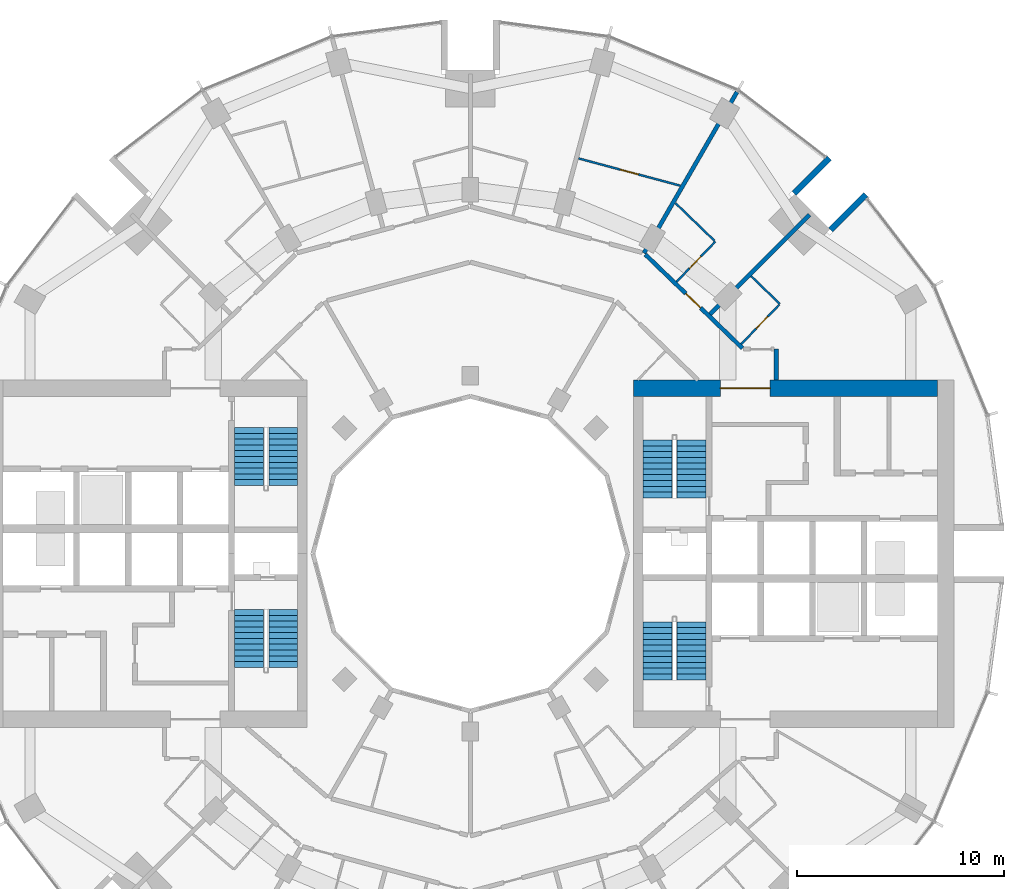
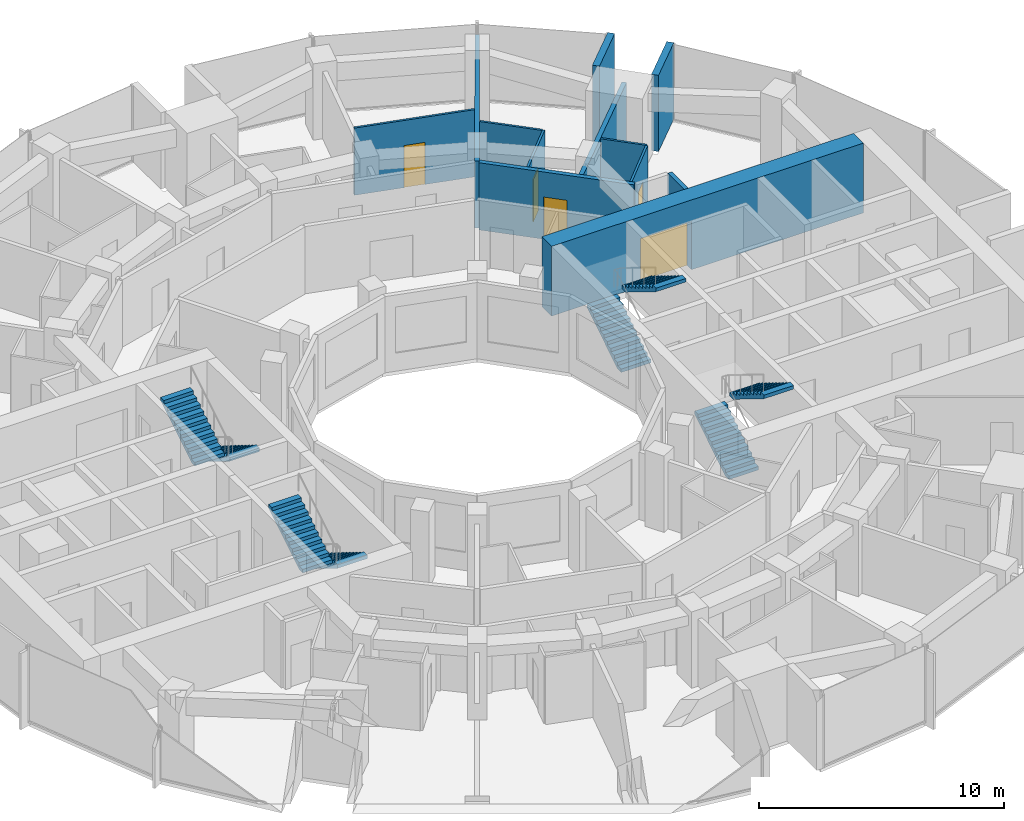
# One storey, part 13 of 15: 12 walls, 8 stair flights, 5 doors, 5 openings, 4 elements without a shape of their own.
"""IFC4 building model written with IfcOpenShell, lengths in metres."""

from ifc_helpers import new_model, si_unit, direction, frame, frame_2d, origin, place, context, subcontext, project, spatial, polyline, rectangle, outline, extrude, material, layer, layer_set, type_object, element, fill, aggregate, save


model = new_model("IFC4")

# Units and contexts
model_context = context("Model", 3, precision=1e-05, world=origin(), true_north=direction((0.0, 1.0)))
body_context = subcontext(model_context, "Body", "Model", "MODEL_VIEW")
ifc_project = project(units=[si_unit("LENGTHUNIT", "METRE"), si_unit("AREAUNIT", "SQUARE_METRE"), si_unit("VOLUMEUNIT", "CUBIC_METRE"), si_unit("PLANEANGLEUNIT", "RADIAN"), si_unit("MASSUNIT", "GRAM", prefix="KILO")], contexts=[model_context])

# Site, building, storey
site_placement = place(None, origin())
site = spatial("IfcSite", under=ifc_project, at=site_placement, CompositionType="ELEMENT")
building_placement = place(site_placement, origin())
building = spatial("IfcBuilding", under=site, at=building_placement, Name="Torre Brocal", CompositionType="ELEMENT")
storey_placement = place(building_placement, frame((0.0, 0.0, 47.800048828125)))
storey = spatial("IfcBuildingStorey", under=building, at=storey_placement, Name="L10", CompositionType="ELEMENT", Elevation=47.800048828125)

# Wall, opening, door
ifc_material_1 = material(Name="Concrete C80", Category="concrete")
ifc_layer_1 = layer(ifc_material_1, 0.800048828125)
ifc_layer_set_1 = layer_set([ifc_layer_1], Name="Concrete C80")
wall_type_1 = type_object("IfcWallType", Name="CORE WALL 800 C80", PredefinedType="SHEAR", material=ifc_layer_set_1)
wall_1_placement = place(storey_placement, frame((87.89990234375, 83.0, 0.0), z_axis=(0.0, 0.0, 1.0), x_axis=(1.0, 0.0, 0.0)))
wall_1 = element("IfcWall", 1, at=wall_1_placement, inside=storey, type_object=wall_type_1, Name="Wall CW800-80", PredefinedType="SHEAR", context=body_context, shape_type="SweptSolid", body=[
    extrude(rectangle(XDim=14.7001953125, YDim=0.800048828125, at=frame_2d((7.35009765625, 0.0))), origin(), (0.0, 0.0, 1.0), 3.47998046875),
])
opening_1_placement = place(wall_1_placement, frame((4.199951171875, 0.0, 0.0)))
opening_1 = element("IfcOpeningElement", 2, at=opening_1_placement, cuts=wall_1, Name="Opening E-D24", PredefinedType="OPENING", context=body_context, shape_type="SweptSolid", body=[
    extrude(rectangle(XDim=2.39990234375, YDim=2.39990234375, at=frame_2d((1.199951171875, 1.199951171875))), frame((0.0, 0.409912109375, 0.0), z_axis=(0.0, -1.0, 0.0), x_axis=(1.0, 0.0, 0.0)), (0.0, 0.0, 1.0), 0.820068359375),
])
ifc_material_2 = material(Name="Steel A653", Category="steel")
door_type_1 = type_object("IfcDoorType", Name="DOUBLE FIRE DOOR FD90 2400X2400", OperationType="DOUBLE_DOOR_SINGLE_SWING", PredefinedType="DOOR", material=ifc_material_2)
door_1_placement = place(opening_1_placement, frame((2.39990234375, 0.0, 0.0), z_axis=(0.0, 0.0, 1.0), x_axis=(-1.0, 0.0, 0.0)))
door_1 = element("IfcDoor", 3, at=door_1_placement, inside=storey, type_object=door_type_1, Name="Door E-D24", OperationType="DOUBLE_DOOR_SINGLE_SWING", OverallHeight=2.39990234375, OverallWidth=2.39990234375, PredefinedType="DOOR", context=body_context, shape_type="SweptSolid", body=[
    extrude(rectangle(XDim=2.39990234375, YDim=2.39990234375, at=frame_2d((1.199951171875, 1.199951171875))), frame((0.0, 0.02490234375, 0.0), z_axis=(0.0, -1.0, 0.0), x_axis=(1.0, 0.0, 0.0)), (0.0, 0.0, 1.0), 0.050048828125),
])
fill(opening_1, door_1)

# Walls
ifc_material_3 = material(Name="Concrete C80", Category="concrete")
ifc_layer_2 = layer(ifc_material_3, 0.300048828125)
ifc_layer_set_2 = layer_set([ifc_layer_2], Name="Concrete C80")
wall_type_2 = type_object("IfcWallType", Name="NOTCH RETURN WALL 300 C80", PredefinedType="NOTDEFINED", material=ifc_layer_set_2)
for number, where, z_axis, x_axis, name in (
    (4, (97.43017578125, 90.662353515625, 0.0), (0.0, 0.0, 1.0), (0.707106781187, 0.707106781187, 0.0), "NOTCH RETURN WALL"),
    (5, (95.662353515625, 92.43017578125, 0.0), (0.0, 0.0, 1.0), (0.707106781187, 0.707106781187, 0.0), "NOTCH RETURN WALL"),
):
    element("IfcWall", number, at=place(storey_placement, frame(where, z_axis=z_axis, x_axis=x_axis)), inside=storey, type_object=wall_type_2, Name=name, PredefinedType="NOTDEFINED", context=body_context, shape_type="SweptSolid", body=[
        extrude(rectangle(XDim=2.415771484375, YDim=0.300048828125, at=frame_2d((1.2080078125, 0.0))), origin(), (0.0, 0.0, 1.0), 3.800048828125),
    ])

# Wall, opening, door
ifc_material_4 = material(Name="Gypsum board", Category="Gypsum")
ifc_layer_3 = layer(ifc_material_4, 0.10009765625)
ifc_layer_set_3 = layer_set([ifc_layer_3], Name="Gypsum board")
wall_type_3 = type_object("IfcWallType", Name="PARTITION 100", PredefinedType="PARTITIONING", material=ifc_layer_set_3)
wall_2_placement = place(storey_placement, frame((85.2373046875, 94.119384765625, 0.0), z_axis=(0.0, 0.0, 1.0), x_axis=(0.965923866142, -0.258826360359, 0.0)))
wall_2 = element("IfcWall", 6, at=wall_2_placement, inside=storey, type_object=wall_type_3, Name="ROOM PARTITION", PredefinedType="PARTITIONING", context=body_context, shape_type="SweptSolid", body=[
    extrude(rectangle(XDim=5.091796875, YDim=0.10009765625, at=frame_2d((2.5458984375, 0.0))), origin(), (0.0, 0.0, 1.0), 3.349853515625),
])
opening_2_placement = place(wall_2_placement, frame((2.095947265625, 0.0, 0.0)))
opening_2 = element("IfcOpeningElement", 7, at=opening_2_placement, cuts=wall_2, Name="Opening H02-D06", PredefinedType="OPENING", context=body_context, shape_type="SweptSolid", body=[
    extrude(rectangle(XDim=0.89990234375, YDim=2.10009765625, at=frame_2d((0.449951171875, 1.050048828125))), frame((0.0, 0.06005859375, 0.0), z_axis=(0.0, -1.0, 0.0), x_axis=(1.0, 0.0, 0.0)), (0.0, 0.0, 1.0), 0.1201171875),
])
ifc_material_5 = material(Name="Timber", Category="wood")
door_type_2 = type_object("IfcDoorType", Name="ROOM DOOR 900X2100", OperationType="SINGLE_SWING_LEFT", PredefinedType="DOOR", material=ifc_material_5)
door_2_placement = place(opening_2_placement, frame((0.89990234375, 0.0, 0.0), z_axis=(0.0, 0.0, 1.0), x_axis=(-1.0, 0.0, 0.0)))
door_2 = element("IfcDoor", 8, at=door_2_placement, inside=storey, type_object=door_type_2, Name="H02-D06", OperationType="SINGLE_SWING_LEFT", OverallHeight=2.10009765625, OverallWidth=0.89990234375, PredefinedType="DOOR", context=body_context, shape_type="SweptSolid", body=[
    extrude(rectangle(XDim=0.89990234375, YDim=2.10009765625, at=frame_2d((0.449951171875, 1.050048828125))), frame((0.0, 0.02490234375, 0.0), z_axis=(0.0, -1.0, 0.0), x_axis=(1.0, 0.0, 0.0)), (0.0, 0.0, 1.0), 0.050048828125),
])
fill(opening_2, door_2)

# Wall
wall_3_placement = place(storey_placement, frame((89.925048828125, 91.956298828125, 0.0), z_axis=(0.0, 0.0, 1.0), x_axis=(0.71931338148, -0.694685726947, 0.0)))
element("IfcWall", 9, at=wall_3_placement, inside=storey, type_object=wall_type_3, Name="BATHROOM WALL", PredefinedType="PARTITIONING", context=body_context, shape_type="SweptSolid", body=[
    extrude(rectangle(XDim=2.626953125, YDim=0.10009765625, at=frame_2d((1.3134765625, 0.0))), origin(), (0.0, 0.0, 1.0), 3.349853515625),
])

# Wall, opening, door
wall_4_placement = place(storey_placement, frame((89.9755859375, 88.154052734375, 0.0), z_axis=(0.0, 0.0, 1.0), x_axis=(0.6945137956, 0.719479386585, 0.0)))
wall_4 = element("IfcWall", 10, at=wall_4_placement, inside=storey, type_object=wall_type_3, Name="BATHROOM WALL", PredefinedType="PARTITIONING", context=body_context, shape_type="SweptSolid", body=[
    extrude(rectangle(XDim=2.698974609375, YDim=0.10009765625, at=frame_2d((1.349609375, 0.0))), origin(), (0.0, 0.0, 1.0), 3.349853515625),
])
opening_3_placement = place(wall_4_placement, frame((0.899658203125, 0.0, 0.0)))
opening_3 = element("IfcOpeningElement", 11, at=opening_3_placement, cuts=wall_4, Name="Opening H02-D04", PredefinedType="OPENING", context=body_context, shape_type="SweptSolid", body=[
    extrude(rectangle(XDim=0.800048828125, YDim=2.10009765625, at=frame_2d((0.39990234375, 1.050048828125))), frame((0.0, 0.06005859375, 0.0), z_axis=(0.0, -1.0, 0.0), x_axis=(1.0, 0.0, 0.0)), (0.0, 0.0, 1.0), 0.1201171875),
])
ifc_material_6 = material(Name="Timber", Category="wood")
door_type_3 = type_object("IfcDoorType", Name="BATHROOM DOOR 800X2100", OperationType="SINGLE_SWING_LEFT", PredefinedType="DOOR", material=ifc_material_6)
door_3_placement = place(opening_3_placement, origin())
door_3 = element("IfcDoor", 12, at=door_3_placement, inside=storey, type_object=door_type_3, Name="H02-D04", OperationType="SINGLE_SWING_LEFT", OverallHeight=2.10009765625, OverallWidth=0.800048828125, PredefinedType="DOOR", context=body_context, shape_type="SweptSolid", body=[
    extrude(rectangle(XDim=0.800048828125, YDim=2.10009765625, at=frame_2d((0.39990234375, 1.050048828125))), frame((0.0, 0.02490234375, 0.0), z_axis=(0.0, -1.0, 0.0), x_axis=(1.0, 0.0, 0.0)), (0.0, 0.0, 1.0), 0.050048828125),
])
fill(opening_3, door_3)

wall_5_placement = place(storey_placement, frame((93.103515625, 85.135986328125, 0.0), z_axis=(0.0, 0.0, 1.0), x_axis=(0.694324808789, 0.719661767708, 0.0)))
wall_5 = element("IfcWall", 13, at=wall_5_placement, inside=storey, type_object=wall_type_3, Name="BATHROOM WALL", PredefinedType="PARTITIONING", context=body_context, shape_type="SweptSolid", body=[
    extrude(rectangle(XDim=2.64990234375, YDim=0.10009765625, at=frame_2d((1.324951171875, 0.0))), origin(), (0.0, 0.0, 1.0), 3.349853515625),
])
opening_4_placement = place(wall_5_placement, frame((1.0498046875, 0.0, 0.0)))
opening_4 = element("IfcOpeningElement", 14, at=opening_4_placement, cuts=wall_5, Name="Opening H02-D02", PredefinedType="OPENING", context=body_context, shape_type="SweptSolid", body=[
    extrude(rectangle(XDim=0.800048828125, YDim=2.10009765625, at=frame_2d((0.39990234375, 1.050048828125))), frame((0.0, 0.06005859375, 0.0), z_axis=(0.0, -1.0, 0.0), x_axis=(1.0, 0.0, 0.0)), (0.0, 0.0, 1.0), 0.1201171875),
])
door_4_placement = place(opening_4_placement, origin())
door_4 = element("IfcDoor", 15, at=door_4_placement, inside=storey, type_object=door_type_3, Name="H02-D02", OperationType="SINGLE_SWING_RIGHT", OverallHeight=2.10009765625, OverallWidth=0.800048828125, PredefinedType="DOOR", context=body_context, shape_type="SweptSolid", body=[
    extrude(rectangle(XDim=0.800048828125, YDim=2.10009765625, at=frame_2d((0.39990234375, 1.050048828125))), frame((0.0, 0.02490234375, 0.0), z_axis=(0.0, -1.0, 0.0), x_axis=(1.0, 0.0, 0.0)), (0.0, 0.0, 1.0), 0.050048828125),
])
fill(opening_4, door_4)

# Wall
wall_6_placement = place(storey_placement, frame((93.58154296875, 88.425048828125, 0.0), z_axis=(0.0, 0.0, 1.0), x_axis=(0.719334224501, -0.694664144361, 0.0)))
element("IfcWall", 16, at=wall_6_placement, inside=storey, type_object=wall_type_3, Name="BATHROOM WALL", PredefinedType="PARTITIONING", context=body_context, shape_type="SweptSolid", body=[
    extrude(rectangle(XDim=1.939697265625, YDim=0.10009765625, at=frame_2d((0.9697265625, 0.0))), origin(), (0.0, 0.0, 1.0), 3.349853515625),
])

# Wall, opening, door
ifc_material_7 = material(Name="Gypsum board", Category="Gypsum")
ifc_layer_4 = layer(ifc_material_7, 0.199951171875)
ifc_layer_set_4 = layer_set([ifc_layer_4], Name="Gypsum board")
wall_type_4 = type_object("IfcWallType", Name="PARTITION 200 EI60", PredefinedType="PARTITIONING", material=ifc_layer_set_4)
wall_7_placement = place(storey_placement, frame((88.46533203125, 89.472900390625, 0.0), z_axis=(0.0, 0.0, 1.0), x_axis=(0.719474304909, -0.694519059908, 0.0)))
wall_7 = element("IfcWall", 17, at=wall_7_placement, inside=storey, type_object=wall_type_4, Name="GUESTROOM CORRIDOR WALL", PredefinedType="PARTITIONING", context=body_context, shape_type="SweptSolid", body=[
    extrude(rectangle(XDim=6.525390625, YDim=0.199951171875, at=frame_2d((3.2626953125, 0.0))), origin(), (0.0, 0.0, 1.0), 3.349853515625),
])
opening_5_placement = place(wall_7_placement, frame((2.718505859375, 0.0, 0.0)))
opening_5 = element("IfcOpeningElement", 18, at=opening_5_placement, cuts=wall_7, Name="Opening H02-D03", PredefinedType="OPENING", context=body_context, shape_type="SweptSolid", body=[
    extrude(rectangle(XDim=1.0, YDim=2.10009765625, at=frame_2d((0.5, 1.050048828125))), frame((0.0, 0.10986328125, 0.0), z_axis=(0.0, -1.0, 0.0), x_axis=(1.0, 0.0, 0.0)), (0.0, 0.0, 1.0), 0.219970703125),
])
ifc_material_8 = material(Name="Timber", Category="wood")
door_type_4 = type_object("IfcDoorType", Name="FLAT ENTRY DOOR FD30S 1000X2100", OperationType="SINGLE_SWING_RIGHT", PredefinedType="DOOR", material=ifc_material_8)
door_5_placement = place(opening_5_placement, origin())
door_5 = element("IfcDoor", 19, at=door_5_placement, inside=storey, type_object=door_type_4, Name="H02-D03", OperationType="SINGLE_SWING_RIGHT", OverallHeight=2.10009765625, OverallWidth=1.0, PredefinedType="DOOR", context=body_context, shape_type="SweptSolid", body=[
    extrude(rectangle(XDim=1.0, YDim=2.10009765625, at=frame_2d((0.5, 1.050048828125))), frame((0.0, 0.02490234375, 0.0), z_axis=(0.0, -1.0, 0.0), x_axis=(1.0, 0.0, 0.0)), (0.0, 0.0, 1.0), 0.050048828125),
])
fill(opening_5, door_5)

# Walls
wall_8_placement = place(storey_placement, frame((88.397216796875, 89.538818359375, 0.0), z_axis=(0.0, 0.0, 1.0), x_axis=(0.500228379329, 0.86589350876, 0.0)))
element("IfcWall", 20, at=wall_8_placement, inside=storey, type_object=wall_type_4, Name="BATHROOM WALL", PredefinedType="PARTITIONING", context=body_context, shape_type="SweptSolid", body=[
    extrude(rectangle(XDim=9.008056640625, YDim=0.199951171875, at=frame_2d((4.50390625, 0.0))), origin(), (0.0, 0.0, 1.0), 3.349853515625),
])
wall_9_placement = place(storey_placement, frame((91.595458984375, 86.59033203125, 0.0), z_axis=(0.0, 0.0, 1.0), x_axis=(0.707232337591, 0.706981202484, 0.0)))
element("IfcWall", 21, at=wall_9_placement, inside=storey, type_object=wall_type_4, Name="BATHROOM WALL", PredefinedType="PARTITIONING", context=body_context, shape_type="SweptSolid", body=[
    extrude(rectangle(XDim=6.804931640625, YDim=0.199951171875, at=frame_2d((3.40234375, 0.0))), origin(), (0.0, 0.0, 1.0), 3.349853515625),
])
wall_10_placement = place(storey_placement, frame((94.800048828125, 83.40087890625, 0.0), z_axis=(0.0, 0.0, 1.0), x_axis=(0.0, 1.0, 0.0)))
element("IfcWall", 22, at=wall_10_placement, inside=storey, type_object=wall_type_4, Name="GUESTROOM CORRIDOR WALL", PredefinedType="PARTITIONING", context=body_context, shape_type="SweptSolid", body=[
    extrude(rectangle(XDim=1.4990234375, YDim=0.199951171875, at=frame_2d((0.74951171875, 0.0))), origin(), (0.0, 0.0, 1.0), 3.349853515625),
])

# Stair, stair flights
ifc_material_9 = material(Name="Concrete C50", Category="concrete")
stair_type = type_object("IfcStairType", Name="EXIT STAIR", PredefinedType="HALF_TURN_STAIR", material=ifc_material_9)
stair_1_placement = place(storey_placement, origin())
stair_1 = element("IfcStair", 23, at=stair_1_placement, inside=storey, type_object=stair_type, Name="EXIT STAIR ST1", PredefinedType="HALF_TURN_STAIR")
ifc_material_10 = material(Name="Concrete C50", Category="concrete")
ifc_layer_5 = layer(ifc_material_10, 0.14990234375)
ifc_layer_set_5 = layer_set([ifc_layer_5], Name="Concrete C50")
stair_flight_type = type_object("IfcStairFlightType", Name="STAIR FLIGHT", PredefinedType="STRAIGHT", material=ifc_layer_set_5)
stair_flight_1_placement = place(storey_placement, frame((89.050048828125, 77.699951171875, 0.0), z_axis=(0.0, 0.0, 1.0), x_axis=(0.0, 1.0, 0.0)))
stair_flight_1 = element("IfcStairFlight", 24, at=stair_flight_1_placement, type_object=stair_flight_type, Name="ST1 flight 1", NumberOfRisers=11, NumberOfTreads=10, PredefinedType="STRAIGHT", RiserHeight=0.172727273, TreadLength=0.28, context=body_context, shape_type="SweptSolid", body=[
    extrude(outline(polyline([(0.0, 0.0), (0.0, 0.172607421875), (0.280029296875, 0.172607421875), (0.280029296875, 0.345458984375), (0.56005859375, 0.345458984375), (0.56005859375, 0.51806640625), (0.840087890625, 0.51806640625), (0.840087890625, 0.69091796875), (1.1201171875, 0.69091796875), (1.1201171875, 0.863525390625), (1.39990234375, 0.863525390625), (1.39990234375, 1.036376953125), (1.679931640625, 1.036376953125), (1.679931640625, 1.208984375), (1.9599609375, 1.208984375), (1.9599609375, 1.3818359375), (2.239990234375, 1.3818359375), (2.239990234375, 1.554443359375), (2.52001953125, 1.554443359375), (2.52001953125, 1.727294921875), (2.800048828125, 1.727294921875), (2.800048828125, 1.89990234375), (2.800048828125, 1.551025390625), (0.285400390625, 0.0), (0.0, 0.0)])), frame((0.0, 0.699951171875, 0.0), z_axis=(0.0, -1.0, 0.0), x_axis=(1.0, 0.0, 0.0)), (0.0, 0.0, 1.0), 1.39990234375),
])
stair_flight_2_placement = place(storey_placement, frame((90.699951171875, 80.5, 1.89990234375), z_axis=(0.0, 0.0, 1.0), x_axis=(0.0, -1.0, 0.0)))
stair_flight_2 = element("IfcStairFlight", 25, at=stair_flight_2_placement, type_object=stair_flight_type, Name="ST1 flight 2", NumberOfRisers=11, NumberOfTreads=10, PredefinedType="STRAIGHT", RiserHeight=0.172727273, TreadLength=0.28, context=body_context, shape_type="SweptSolid", body=[
    extrude(outline(polyline([(0.0, 0.0), (0.0, 0.172607421875), (0.280029296875, 0.172607421875), (0.280029296875, 0.345458984375), (0.56005859375, 0.345458984375), (0.56005859375, 0.51806640625), (0.840087890625, 0.51806640625), (0.840087890625, 0.69091796875), (1.1201171875, 0.69091796875), (1.1201171875, 0.863525390625), (1.39990234375, 0.863525390625), (1.39990234375, 1.036376953125), (1.679931640625, 1.036376953125), (1.679931640625, 1.208984375), (1.9599609375, 1.208984375), (1.9599609375, 1.3818359375), (2.239990234375, 1.3818359375), (2.239990234375, 1.554443359375), (2.52001953125, 1.554443359375), (2.52001953125, 1.727294921875), (2.800048828125, 1.727294921875), (2.800048828125, 1.89990234375), (2.800048828125, 1.551025390625), (0.285400390625, 0.0), (0.0, 0.0)])), frame((0.0, 0.699951171875, 0.0), z_axis=(0.0, -1.0, 0.0), x_axis=(1.0, 0.0, 0.0)), (0.0, 0.0, 1.0), 1.39990234375),
])
aggregate(stair_1, [stair_flight_1, stair_flight_2])

stair_2_placement = place(storey_placement, origin())
stair_2 = element("IfcStair", 26, at=stair_2_placement, inside=storey, type_object=stair_type, Name="EXIT STAIR ST2", PredefinedType="HALF_TURN_STAIR")
stair_flight_3_placement = place(storey_placement, frame((89.050048828125, 68.89990234375, 0.0), z_axis=(0.0, 0.0, 1.0), x_axis=(0.0, 1.0, 0.0)))
stair_flight_3 = element("IfcStairFlight", 27, at=stair_flight_3_placement, type_object=stair_flight_type, Name="ST2 flight 1", NumberOfRisers=11, NumberOfTreads=10, PredefinedType="STRAIGHT", RiserHeight=0.172727273, TreadLength=0.28, context=body_context, shape_type="SweptSolid", body=[
    extrude(outline(polyline([(0.0, 0.0), (0.0, 0.172607421875), (0.280029296875, 0.172607421875), (0.280029296875, 0.345458984375), (0.56005859375, 0.345458984375), (0.56005859375, 0.51806640625), (0.840087890625, 0.51806640625), (0.840087890625, 0.69091796875), (1.1201171875, 0.69091796875), (1.1201171875, 0.863525390625), (1.39990234375, 0.863525390625), (1.39990234375, 1.036376953125), (1.679931640625, 1.036376953125), (1.679931640625, 1.208984375), (1.9599609375, 1.208984375), (1.9599609375, 1.3818359375), (2.239990234375, 1.3818359375), (2.239990234375, 1.554443359375), (2.52001953125, 1.554443359375), (2.52001953125, 1.727294921875), (2.800048828125, 1.727294921875), (2.800048828125, 1.89990234375), (2.800048828125, 1.551025390625), (0.285400390625, 0.0), (0.0, 0.0)])), frame((0.0, 0.699951171875, 0.0), z_axis=(0.0, -1.0, 0.0), x_axis=(1.0, 0.0, 0.0)), (0.0, 0.0, 1.0), 1.39990234375),
])
stair_flight_4_placement = place(storey_placement, frame((90.699951171875, 71.699951171875, 1.89990234375), z_axis=(0.0, 0.0, 1.0), x_axis=(0.0, -1.0, 0.0)))
stair_flight_4 = element("IfcStairFlight", 28, at=stair_flight_4_placement, type_object=stair_flight_type, Name="ST2 flight 2", NumberOfRisers=11, NumberOfTreads=10, PredefinedType="STRAIGHT", RiserHeight=0.172727273, TreadLength=0.28, context=body_context, shape_type="SweptSolid", body=[
    extrude(outline(polyline([(0.0, 0.0), (0.0, 0.172607421875), (0.280029296875, 0.172607421875), (0.280029296875, 0.345458984375), (0.56005859375, 0.345458984375), (0.56005859375, 0.51806640625), (0.840087890625, 0.51806640625), (0.840087890625, 0.69091796875), (1.1201171875, 0.69091796875), (1.1201171875, 0.863525390625), (1.39990234375, 0.863525390625), (1.39990234375, 1.036376953125), (1.679931640625, 1.036376953125), (1.679931640625, 1.208984375), (1.9599609375, 1.208984375), (1.9599609375, 1.3818359375), (2.239990234375, 1.3818359375), (2.239990234375, 1.554443359375), (2.52001953125, 1.554443359375), (2.52001953125, 1.727294921875), (2.800048828125, 1.727294921875), (2.800048828125, 1.89990234375), (2.800048828125, 1.551025390625), (0.285400390625, 0.0), (0.0, 0.0)])), frame((0.0, 0.699951171875, 0.0), z_axis=(0.0, -1.0, 0.0), x_axis=(1.0, 0.0, 0.0)), (0.0, 0.0, 1.0), 1.39990234375),
])
aggregate(stair_2, [stair_flight_3, stair_flight_4])

stair_3_placement = place(storey_placement, origin())
stair_3 = element("IfcStair", 29, at=stair_3_placement, inside=storey, type_object=stair_type, Name="EXIT STAIR ST3", PredefinedType="HALF_TURN_STAIR")
stair_flight_5_placement = place(storey_placement, frame((70.949951171875, 72.300048828125, 0.0), z_axis=(0.0, 0.0, 1.0), x_axis=(0.0, -1.0, 0.0)))
stair_flight_5 = element("IfcStairFlight", 30, at=stair_flight_5_placement, type_object=stair_flight_type, Name="ST3 flight 1", NumberOfRisers=11, NumberOfTreads=10, PredefinedType="STRAIGHT", RiserHeight=0.172727273, TreadLength=0.28, context=body_context, shape_type="SweptSolid", body=[
    extrude(outline(polyline([(0.0, 0.0), (0.0, 0.172607421875), (0.280029296875, 0.172607421875), (0.280029296875, 0.345458984375), (0.56005859375, 0.345458984375), (0.56005859375, 0.51806640625), (0.840087890625, 0.51806640625), (0.840087890625, 0.69091796875), (1.1201171875, 0.69091796875), (1.1201171875, 0.863525390625), (1.39990234375, 0.863525390625), (1.39990234375, 1.036376953125), (1.679931640625, 1.036376953125), (1.679931640625, 1.208984375), (1.9599609375, 1.208984375), (1.9599609375, 1.3818359375), (2.239990234375, 1.3818359375), (2.239990234375, 1.554443359375), (2.52001953125, 1.554443359375), (2.52001953125, 1.727294921875), (2.800048828125, 1.727294921875), (2.800048828125, 1.89990234375), (2.800048828125, 1.551025390625), (0.285400390625, 0.0), (0.0, 0.0)])), frame((0.0, 0.699951171875, 0.0), z_axis=(0.0, -1.0, 0.0), x_axis=(1.0, 0.0, 0.0)), (0.0, 0.0, 1.0), 1.39990234375),
])
stair_flight_6_placement = place(storey_placement, frame((69.300048828125, 69.5, 1.89990234375), z_axis=(0.0, 0.0, 1.0), x_axis=(0.0, 1.0, 0.0)))
stair_flight_6 = element("IfcStairFlight", 31, at=stair_flight_6_placement, type_object=stair_flight_type, Name="ST3 flight 2", NumberOfRisers=11, NumberOfTreads=10, PredefinedType="STRAIGHT", RiserHeight=0.172727273, TreadLength=0.28, context=body_context, shape_type="SweptSolid", body=[
    extrude(outline(polyline([(0.0, 0.0), (0.0, 0.172607421875), (0.280029296875, 0.172607421875), (0.280029296875, 0.345458984375), (0.56005859375, 0.345458984375), (0.56005859375, 0.51806640625), (0.840087890625, 0.51806640625), (0.840087890625, 0.69091796875), (1.1201171875, 0.69091796875), (1.1201171875, 0.863525390625), (1.39990234375, 0.863525390625), (1.39990234375, 1.036376953125), (1.679931640625, 1.036376953125), (1.679931640625, 1.208984375), (1.9599609375, 1.208984375), (1.9599609375, 1.3818359375), (2.239990234375, 1.3818359375), (2.239990234375, 1.554443359375), (2.52001953125, 1.554443359375), (2.52001953125, 1.727294921875), (2.800048828125, 1.727294921875), (2.800048828125, 1.89990234375), (2.800048828125, 1.551025390625), (0.285400390625, 0.0), (0.0, 0.0)])), frame((0.0, 0.699951171875, 0.0), z_axis=(0.0, -1.0, 0.0), x_axis=(1.0, 0.0, 0.0)), (0.0, 0.0, 1.0), 1.39990234375),
])
aggregate(stair_3, [stair_flight_5, stair_flight_6])

stair_4_placement = place(storey_placement, origin())
stair_4 = element("IfcStair", 32, at=stair_4_placement, inside=storey, type_object=stair_type, Name="EXIT STAIR ST4", PredefinedType="HALF_TURN_STAIR")
stair_flight_7_placement = place(storey_placement, frame((70.949951171875, 81.10009765625, 0.0), z_axis=(0.0, 0.0, 1.0), x_axis=(0.0, -1.0, 0.0)))
stair_flight_7 = element("IfcStairFlight", 33, at=stair_flight_7_placement, type_object=stair_flight_type, Name="ST4 flight 1", NumberOfRisers=11, NumberOfTreads=10, PredefinedType="STRAIGHT", RiserHeight=0.172727273, TreadLength=0.28, context=body_context, shape_type="SweptSolid", body=[
    extrude(outline(polyline([(0.0, 0.0), (0.0, 0.172607421875), (0.280029296875, 0.172607421875), (0.280029296875, 0.345458984375), (0.56005859375, 0.345458984375), (0.56005859375, 0.51806640625), (0.840087890625, 0.51806640625), (0.840087890625, 0.69091796875), (1.1201171875, 0.69091796875), (1.1201171875, 0.863525390625), (1.39990234375, 0.863525390625), (1.39990234375, 1.036376953125), (1.679931640625, 1.036376953125), (1.679931640625, 1.208984375), (1.9599609375, 1.208984375), (1.9599609375, 1.3818359375), (2.239990234375, 1.3818359375), (2.239990234375, 1.554443359375), (2.52001953125, 1.554443359375), (2.52001953125, 1.727294921875), (2.800048828125, 1.727294921875), (2.800048828125, 1.89990234375), (2.800048828125, 1.551025390625), (0.285400390625, 0.0), (0.0, 0.0)])), frame((0.0, 0.699951171875, 0.0), z_axis=(0.0, -1.0, 0.0), x_axis=(1.0, 0.0, 0.0)), (0.0, 0.0, 1.0), 1.39990234375),
])
stair_flight_8_placement = place(storey_placement, frame((69.300048828125, 78.300048828125, 1.89990234375), z_axis=(0.0, 0.0, 1.0), x_axis=(0.0, 1.0, 0.0)))
stair_flight_8 = element("IfcStairFlight", 34, at=stair_flight_8_placement, type_object=stair_flight_type, Name="ST4 flight 2", NumberOfRisers=11, NumberOfTreads=10, PredefinedType="STRAIGHT", RiserHeight=0.172727273, TreadLength=0.28, context=body_context, shape_type="SweptSolid", body=[
    extrude(outline(polyline([(0.0, 0.0), (0.0, 0.172607421875), (0.280029296875, 0.172607421875), (0.280029296875, 0.345458984375), (0.56005859375, 0.345458984375), (0.56005859375, 0.51806640625), (0.840087890625, 0.51806640625), (0.840087890625, 0.69091796875), (1.1201171875, 0.69091796875), (1.1201171875, 0.863525390625), (1.39990234375, 0.863525390625), (1.39990234375, 1.036376953125), (1.679931640625, 1.036376953125), (1.679931640625, 1.208984375), (1.9599609375, 1.208984375), (1.9599609375, 1.3818359375), (2.239990234375, 1.3818359375), (2.239990234375, 1.554443359375), (2.52001953125, 1.554443359375), (2.52001953125, 1.727294921875), (2.800048828125, 1.727294921875), (2.800048828125, 1.89990234375), (2.800048828125, 1.551025390625), (0.285400390625, 0.0), (0.0, 0.0)])), frame((0.0, 0.699951171875, 0.0), z_axis=(0.0, -1.0, 0.0), x_axis=(1.0, 0.0, 0.0)), (0.0, 0.0, 1.0), 1.39990234375),
])
aggregate(stair_4, [stair_flight_7, stair_flight_8])

save(model, "model.ifc")
